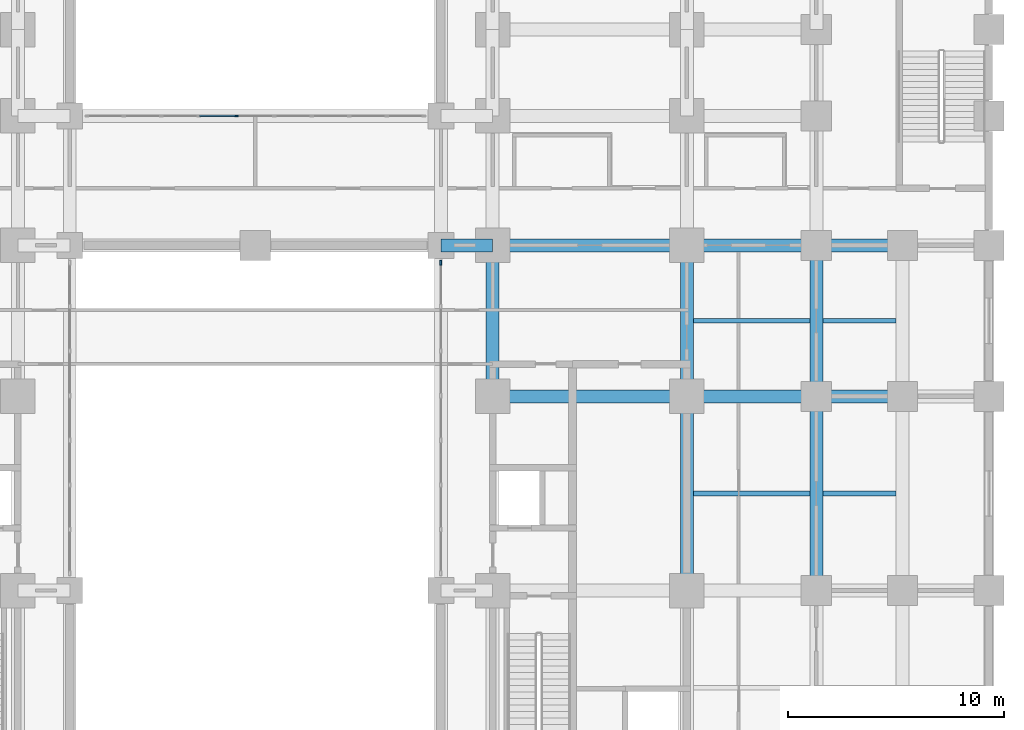
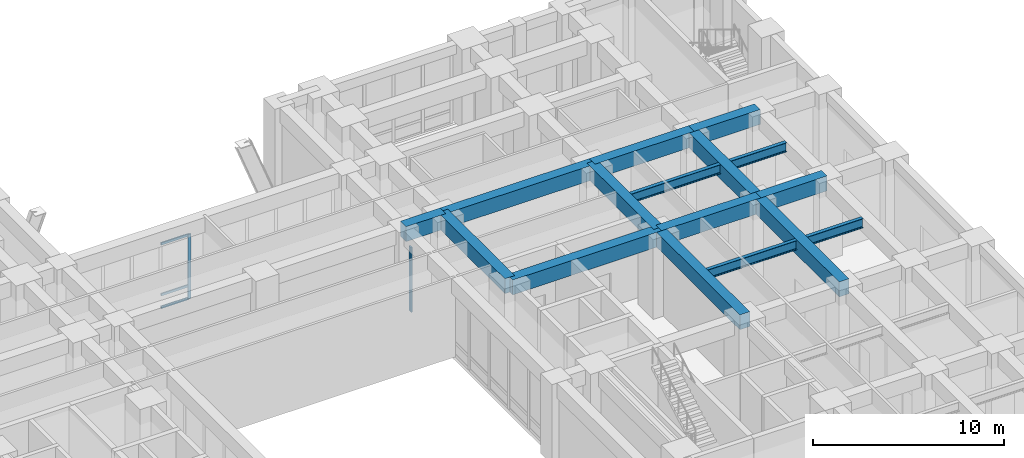
# One storey, part 6 of 23: 16 beams, 5 members, 2 elements without a shape of their own.
"""IFC4 building model written with IfcOpenShell, lengths in metres."""

from ifc_helpers import new_model, si_unit, direction, frame, origin, origin_2d, place, context, subcontext, project, spatial, rectangle, i_section, extrude, material, material_profile, profile_set, type_object, element, aggregate, save


model = new_model("IFC4")

# Units and contexts
model_context = context("Model", 3, precision=1e-05, world=origin(), true_north=direction((0.0, 1.0)))
body_context = subcontext(model_context, "Body", "Model", "MODEL_VIEW")
ifc_project = project(units=[si_unit("LENGTHUNIT", "METRE"), si_unit("AREAUNIT", "SQUARE_METRE"), si_unit("VOLUMEUNIT", "CUBIC_METRE"), si_unit("PLANEANGLEUNIT", "RADIAN"), si_unit("MASSUNIT", "GRAM", prefix="KILO")], contexts=[model_context])

# Site, building, storey
site_placement = place(None, origin())
site = spatial("IfcSite", under=ifc_project, at=site_placement, CompositionType="ELEMENT")
building_placement = place(site_placement, origin())
building = spatial("IfcBuilding", under=site, at=building_placement, Name="Zulmaris Gate Convention Tower", CompositionType="ELEMENT")
storey_placement = place(building_placement, frame((0.0, 0.0, 10.8798828125)))
storey = spatial("IfcBuildingStorey", under=building, at=storey_placement, Name="L02", CompositionType="ELEMENT", Elevation=10.8798828125)

# Beams
ifc_material_1 = material(Name="Concrete C60/75", Category="concrete")
ifc_material_profile_1 = material_profile(ifc_material_1, rectangle(XDim=0.60009765625, YDim=0.949951171875, at=origin_2d()), Name="RC BEAM 600x950")
ifc_profile_set_1 = profile_set([ifc_material_profile_1], Name="Concrete C60/75")
beam_type_1 = type_object("IfcBeamType", Name="BM-RC600x950", PredefinedType="BEAM", material=ifc_profile_set_1)
beam_1_placement = place(storey_placement, frame((11.0, 9.0, 4.615234375), z_axis=(1.0, 0.0, 0.0), x_axis=(0.0, 1.0, 0.0)))
element("IfcBeam", 1, at=beam_1_placement, inside=storey, type_object=beam_type_1, Name="L02 Beam BM-L02-X-+9.0-+11.0", PredefinedType="BEAM", context=body_context, shape_type="SweptSolid", body=[
    extrude(rectangle(XDim=0.60009765625, YDim=0.949951171875, at=origin_2d()), origin(), (0.0, 0.0, 1.0), 9.0),
])
beam_2_placement = place(storey_placement, frame((20.0, 9.0, 4.615234375), z_axis=(1.0, 0.0, 0.0), x_axis=(0.0, 1.0, 0.0)))
element("IfcBeam", 2, at=beam_2_placement, inside=storey, type_object=beam_type_1, Name="L02 Beam BM-L02-X-+9.0-+20.0", PredefinedType="BEAM", context=body_context, shape_type="SweptSolid", body=[
    extrude(rectangle(XDim=0.60009765625, YDim=0.949951171875, at=origin_2d()), origin(), (0.0, 0.0, 1.0), 6.0),
])
beam_3_placement = place(storey_placement, frame((26.0, 9.0, 4.615234375), z_axis=(1.0, 0.0, 0.0), x_axis=(0.0, 1.0, 0.0)))
element("IfcBeam", 3, at=beam_3_placement, inside=storey, type_object=beam_type_1, Name="L02 Beam BM-L02-X-+9.0-+26.0", PredefinedType="BEAM", context=body_context, shape_type="SweptSolid", body=[
    extrude(rectangle(XDim=0.60009765625, YDim=0.949951171875, at=origin_2d()), origin(), (0.0, 0.0, 1.0), 4.0),
])
beam_4_placement = place(storey_placement, frame((8.60009765625, 16.0, 4.615234375), z_axis=(1.0, 0.0, 0.0), x_axis=(0.0, 1.0, 0.0)))
element("IfcBeam", 4, at=beam_4_placement, inside=storey, type_object=beam_type_1, Name="L02 Beam BM-L02-X-+16.0-+8.6", PredefinedType="BEAM", context=body_context, shape_type="SweptSolid", body=[
    extrude(rectangle(XDim=0.60009765625, YDim=0.949951171875, at=origin_2d()), origin(), (0.0, 0.0, 1.0), 2.39990234375),
])
beam_5_placement = place(storey_placement, frame((11.0, 16.0, 4.615234375), z_axis=(1.0, 0.0, 0.0), x_axis=(0.0, 1.0, 0.0)))
element("IfcBeam", 5, at=beam_5_placement, inside=storey, type_object=beam_type_1, Name="L02 Beam BM-L02-X-+16.0-+11.0", PredefinedType="BEAM", context=body_context, shape_type="SweptSolid", body=[
    extrude(rectangle(XDim=0.60009765625, YDim=0.949951171875, at=origin_2d()), origin(), (0.0, 0.0, 1.0), 9.0),
])
beam_6_placement = place(storey_placement, frame((20.0, 16.0, 4.615234375), z_axis=(1.0, 0.0, 0.0), x_axis=(0.0, 1.0, 0.0)))
element("IfcBeam", 6, at=beam_6_placement, inside=storey, type_object=beam_type_1, Name="L02 Beam BM-L02-X-+16.0-+20.0", PredefinedType="BEAM", context=body_context, shape_type="SweptSolid", body=[
    extrude(rectangle(XDim=0.60009765625, YDim=0.949951171875, at=origin_2d()), origin(), (0.0, 0.0, 1.0), 6.0),
])
beam_7_placement = place(storey_placement, frame((26.0, 16.0, 4.615234375), z_axis=(1.0, 0.0, 0.0), x_axis=(0.0, 1.0, 0.0)))
element("IfcBeam", 7, at=beam_7_placement, inside=storey, type_object=beam_type_1, Name="L02 Beam BM-L02-X-+16.0-+26.0", PredefinedType="BEAM", context=body_context, shape_type="SweptSolid", body=[
    extrude(rectangle(XDim=0.60009765625, YDim=0.949951171875, at=origin_2d()), origin(), (0.0, 0.0, 1.0), 4.0),
])
beam_8_placement = place(storey_placement, frame((11.0, 9.0, 4.615234375), z_axis=(0.0, 1.0, 0.0), x_axis=(-1.0, 0.0, 0.0)))
element("IfcBeam", 8, at=beam_8_placement, inside=storey, type_object=beam_type_1, Name="L02 Beam BM-L02-Y-+11.0-+9.0", PredefinedType="BEAM", context=body_context, shape_type="SweptSolid", body=[
    extrude(rectangle(XDim=0.60009765625, YDim=0.949951171875, at=origin_2d()), origin(), (0.0, 0.0, 1.0), 7.0),
])
beam_9_placement = place(storey_placement, frame((20.0, 0.0, 4.615234375), z_axis=(0.0, 1.0, 0.0), x_axis=(-1.0, 0.0, 0.0)))
element("IfcBeam", 9, at=beam_9_placement, inside=storey, type_object=beam_type_1, Name="L02 Beam BM-L02-Y-+20.0-+0.0", PredefinedType="BEAM", context=body_context, shape_type="SweptSolid", body=[
    extrude(rectangle(XDim=0.60009765625, YDim=0.949951171875, at=origin_2d()), origin(), (0.0, 0.0, 1.0), 9.0),
])
beam_10_placement = place(storey_placement, frame((20.0, 9.0, 4.615234375), z_axis=(0.0, 1.0, 0.0), x_axis=(-1.0, 0.0, 0.0)))
element("IfcBeam", 10, at=beam_10_placement, inside=storey, type_object=beam_type_1, Name="L02 Beam BM-L02-Y-+20.0-+9.0", PredefinedType="BEAM", context=body_context, shape_type="SweptSolid", body=[
    extrude(rectangle(XDim=0.60009765625, YDim=0.949951171875, at=origin_2d()), origin(), (0.0, 0.0, 1.0), 7.0),
])
beam_11_placement = place(storey_placement, frame((26.0, 0.0, 4.615234375), z_axis=(0.0, 1.0, 0.0), x_axis=(-1.0, 0.0, 0.0)))
element("IfcBeam", 11, at=beam_11_placement, inside=storey, type_object=beam_type_1, Name="L02 Beam BM-L02-Y-+26.0-+0.0", PredefinedType="BEAM", context=body_context, shape_type="SweptSolid", body=[
    extrude(rectangle(XDim=0.60009765625, YDim=0.949951171875, at=origin_2d()), origin(), (0.0, 0.0, 1.0), 9.0),
])
beam_12_placement = place(storey_placement, frame((26.0, 9.0, 4.615234375), z_axis=(0.0, 1.0, 0.0), x_axis=(-1.0, 0.0, 0.0)))
element("IfcBeam", 12, at=beam_12_placement, inside=storey, type_object=beam_type_1, Name="L02 Beam BM-L02-Y-+26.0-+9.0", PredefinedType="BEAM", context=body_context, shape_type="SweptSolid", body=[
    extrude(rectangle(XDim=0.60009765625, YDim=0.949951171875, at=origin_2d()), origin(), (0.0, 0.0, 1.0), 7.0),
])

# Curtain wall, member
ifc_material_2 = material(Name="Anodised Aluminium", Category="aluminium")
curtain_wall_type_1 = type_object("IfcCurtainWallType", Name="CW-02", PredefinedType="NOTDEFINED", material=ifc_material_2)
curtain_wall_1_placement = place(storey_placement, origin())
curtain_wall_1 = element("IfcCurtainWall", 13, at=curtain_wall_1_placement, inside=storey, type_object=curtain_wall_type_1, Name="CW-02 CW02-L02-EL_0", PredefinedType="NOTDEFINED")
ifc_material_profile_2 = material_profile(ifc_material_2, rectangle(XDim=0.090087890625, YDim=0.219970703125, at=origin_2d()), Name="ALU MULLION 90x220")
ifc_profile_set_2 = profile_set([ifc_material_profile_2], Name="Anodised Aluminium")
member_type_1 = type_object("IfcMemberType", Name="CW-02-MULL", PredefinedType="MULLION", material=ifc_profile_set_2)
member_1_placement = place(storey_placement, frame((8.60009765625, 15.195068359375, 0.0), z_axis=(0.0, 0.0, 1.0), x_axis=(1.0, 0.0, 0.0)))
member_1 = element("IfcMember", 14, at=member_1_placement, type_object=member_type_1, Name="CW-02 mullion 1", PredefinedType="MULLION", context=body_context, shape_type="SweptSolid", body=[
    extrude(rectangle(XDim=0.090087890625, YDim=0.219970703125, at=origin_2d()), origin(), (0.0, 0.0, 1.0), 4.13232421875),
])
aggregate(curtain_wall_1, [member_1])

# Curtain wall, members
curtain_wall_type_2 = type_object("IfcCurtainWallType", Name="CW-03", PredefinedType="NOTDEFINED", material=ifc_material_2)
curtain_wall_2_placement = place(storey_placement, origin())
curtain_wall_2 = element("IfcCurtainWall", 15, at=curtain_wall_2_placement, inside=storey, type_object=curtain_wall_type_2, Name="CW-03 CW03-L02-NARCH_0", PredefinedType="NOTDEFINED")
ifc_material_profile_3 = material_profile(ifc_material_2, rectangle(XDim=0.074951171875, YDim=0.179931640625, at=origin_2d()), Name="ALU MULLION 75x180")
ifc_profile_set_3 = profile_set([ifc_material_profile_3], Name="Anodised Aluminium")
member_type_2 = type_object("IfcMemberType", Name="CW-03-MULL", PredefinedType="MULLION", material=ifc_profile_set_3)
member_2_placement = place(storey_placement, frame((-0.87109375, 22.0, 0.0), z_axis=(0.0, 0.0, 1.0), x_axis=(0.0, -1.0, 0.0)))
member_2 = element("IfcMember", 16, at=member_2_placement, type_object=member_type_2, Name="CW-03 mullion 6", PredefinedType="MULLION", context=body_context, shape_type="SweptSolid", body=[
    extrude(rectangle(XDim=0.074951171875, YDim=0.179931640625, at=origin_2d()), origin(), (0.0, 0.0, 1.0), 4.13232421875),
])
ifc_material_profile_4 = material_profile(ifc_material_2, rectangle(XDim=0.074951171875, YDim=0.14990234375, at=origin_2d()), Name="ALU TRANSOM 75x150")
ifc_profile_set_4 = profile_set([ifc_material_profile_4], Name="Anodised Aluminium")
member_type_3 = type_object("IfcMemberType", Name="CW-03-TRAN", PredefinedType="USERDEFINED", material=ifc_profile_set_4)
member_3_placement = place(storey_placement, frame((-0.90869140625, 22.0, 0.03759765625), z_axis=(-1.0, 0.0, 0.0), x_axis=(0.0, -1.0, 0.0)))
member_3 = element("IfcMember", 17, at=member_3_placement, type_object=member_type_3, Name="CW-03 transom 6.1", ObjectType="TRANSOM", PredefinedType="USERDEFINED", context=body_context, shape_type="SweptSolid", body=[
    extrude(rectangle(XDim=0.074951171875, YDim=0.14990234375, at=origin_2d()), origin(), (0.0, 0.0, 1.0), 1.667236328125),
])
member_4_placement = place(storey_placement, frame((-0.90869140625, 22.0, 0.85009765625), z_axis=(-1.0, 0.0, 0.0), x_axis=(0.0, -1.0, 0.0)))
member_4 = element("IfcMember", 18, at=member_4_placement, type_object=member_type_3, Name="CW-03 transom 6.2", ObjectType="TRANSOM", PredefinedType="USERDEFINED", context=body_context, shape_type="SweptSolid", body=[
    extrude(rectangle(XDim=0.074951171875, YDim=0.14990234375, at=origin_2d()), origin(), (0.0, 0.0, 1.0), 1.667236328125),
])
member_5_placement = place(storey_placement, frame((-0.90869140625, 22.0, 4.0947265625), z_axis=(-1.0, 0.0, 0.0), x_axis=(0.0, -1.0, 0.0)))
member_5 = element("IfcMember", 19, at=member_5_placement, type_object=member_type_3, Name="CW-03 transom 6.3", ObjectType="TRANSOM", PredefinedType="USERDEFINED", context=body_context, shape_type="SweptSolid", body=[
    extrude(rectangle(XDim=0.074951171875, YDim=0.14990234375, at=origin_2d()), origin(), (0.0, 0.0, 1.0), 1.667236328125),
])
aggregate(curtain_wall_2, [member_2, member_3, member_4, member_5])

# Beams
ifc_material_3 = material(Name="Steel S355", Category="steel")
ifc_material_profile_5 = material_profile(ifc_material_3, i_section(OverallWidth=0.219970703125, OverallDepth=0.60009765625, WebThickness=0.011962890625, FlangeThickness=0.01904296875, FilletRadius=0.02392578125, at=origin_2d()), Name="IPE 600")
ifc_profile_set_5 = profile_set([ifc_material_profile_5], Name="Steel S355")
beam_type_2 = type_object("IfcBeamType", Name="JT-IPE600", PredefinedType="JOIST", material=ifc_profile_set_5)
for number, where, z_axis, x_axis, name in (
    (20, (20.300048828125, 4.5, 4.788330078125), (1.0, 0.0, 0.0), (0.0, 1.0, 0.0), "L02 Joist JT-L02-+20_+26-+4.5"),
    (21, (20.300048828125, 12.5, 4.788330078125), (1.0, 0.0, 0.0), (0.0, 1.0, 0.0), "L02 Joist JT-L02-+20_+26-+12.5"),
):
    element("IfcBeam", number, at=place(storey_placement, frame(where, z_axis=z_axis, x_axis=x_axis)), inside=storey, type_object=beam_type_2, Name=name, PredefinedType="JOIST", context=body_context, shape_type="SweptSolid", body=[
        extrude(i_section(OverallWidth=0.219970703125, OverallDepth=0.60009765625, WebThickness=0.011962890625, FlangeThickness=0.01904296875, FilletRadius=0.02392578125, at=origin_2d()), origin(), (0.0, 0.0, 1.0), 5.39990234375),
    ])
for number, where, z_axis, x_axis, name in (
    (22, (26.300048828125, 4.5, 4.788330078125), (1.0, 0.0, 0.0), (0.0, 1.0, 0.0), "L02 Joist JT-L02-+26_+30-+4.5"),
    (23, (26.300048828125, 12.5, 4.788330078125), (1.0, 0.0, 0.0), (0.0, 1.0, 0.0), "L02 Joist JT-L02-+26_+30-+12.5"),
):
    element("IfcBeam", number, at=place(storey_placement, frame(where, z_axis=z_axis, x_axis=x_axis)), inside=storey, type_object=beam_type_2, Name=name, PredefinedType="JOIST", context=body_context, shape_type="SweptSolid", body=[
        extrude(i_section(OverallWidth=0.219970703125, OverallDepth=0.60009765625, WebThickness=0.011962890625, FlangeThickness=0.01904296875, FilletRadius=0.02392578125, at=origin_2d()), origin(), (0.0, 0.0, 1.0), 3.39990234375),
    ])

save(model, "model.ifc")
